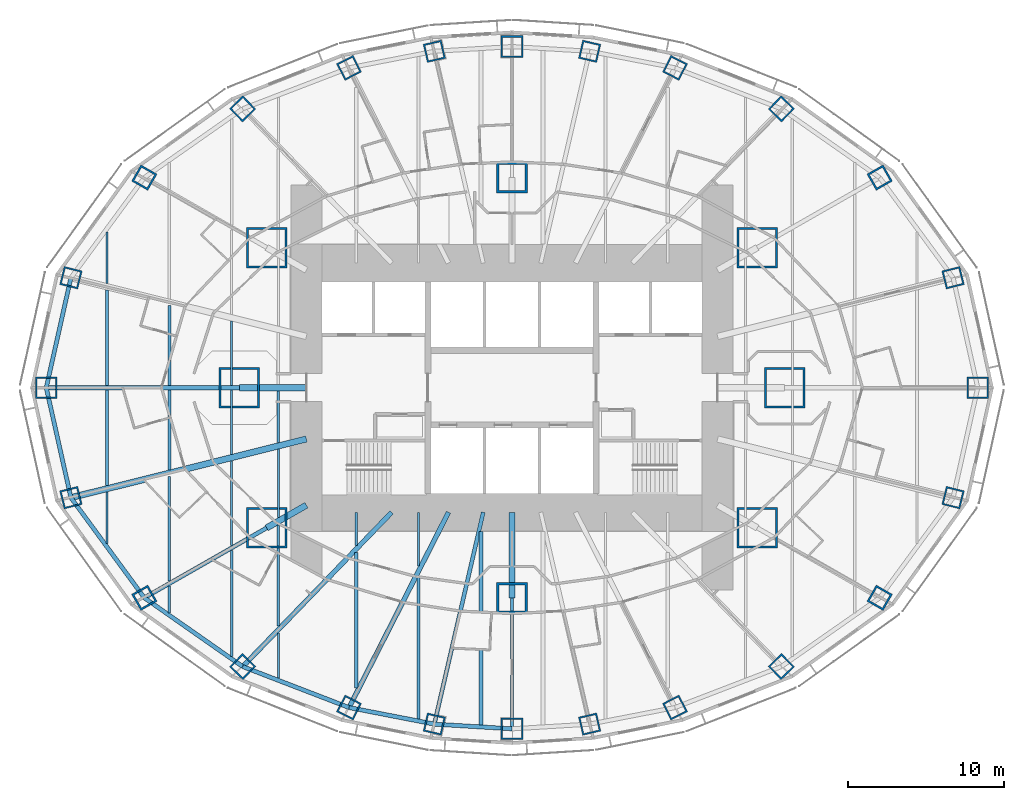
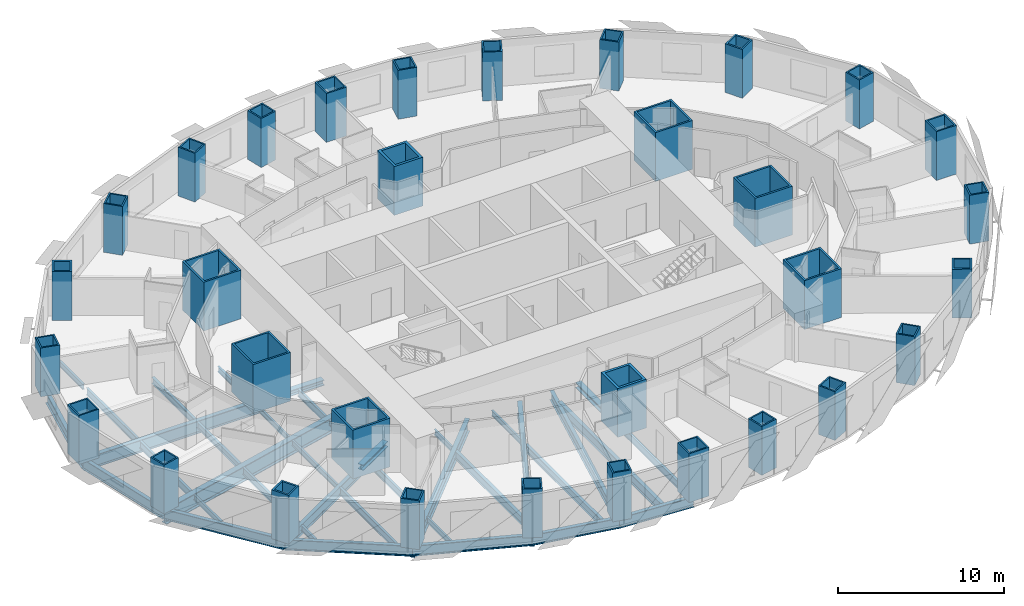
# One storey, part 1 of 15: 38 beams, 32 columns.
"""IFC4 building model written with IfcOpenShell, lengths in metres."""

from ifc_helpers import new_model, si_unit, direction, frame, origin, origin_2d, place, context, subcontext, project, spatial, rectangle, hollow_rectangle, i_section, extrude, material, material_profile, profile_set, type_object, element, save


model = new_model("IFC4")

# Units and contexts
model_context = context("Model", 3, precision=1e-05, world=origin(), true_north=direction((0.0, 1.0)))
body_context = subcontext(model_context, "Body", "Model", "MODEL_VIEW")
ifc_project = project(units=[si_unit("LENGTHUNIT", "METRE"), si_unit("AREAUNIT", "SQUARE_METRE"), si_unit("VOLUMEUNIT", "CUBIC_METRE"), si_unit("PLANEANGLEUNIT", "RADIAN"), si_unit("MASSUNIT", "GRAM", prefix="KILO")], contexts=[model_context])

# Site, building, storey
site_placement = place(None, origin())
site = spatial("IfcSite", under=ifc_project, at=site_placement, CompositionType="ELEMENT")
building_placement = place(site_placement, origin())
building = spatial("IfcBuilding", under=site, at=building_placement, Name="Lantaw Convention Tower", CompositionType="ELEMENT")
storey_placement = place(building_placement, frame((0.0, 0.0, 44.199951171875)))
storey = spatial("IfcBuildingStorey", under=building, at=storey_placement, Name="L08", CompositionType="ELEMENT", Elevation=44.199951171875)

# Columns
ifc_material_1 = material(Name="Steel EN 10025-3 S460N", Category="steel")
ifc_material_profile_1 = material_profile(ifc_material_1, hollow_rectangle(XDim=2.0, YDim=2.0, WallThickness=0.169921875, at=origin_2d()), Name="BOX2000X170")
ifc_material_2 = material(Name="Concrete C60/75", Category="concrete")
ifc_material_profile_2 = material_profile(ifc_material_2, rectangle(XDim=1.659912109375, YDim=1.659912109375, at=origin_2d()), Name="Concrete fill of BOX2000X170")
ifc_profile_set_1 = profile_set([ifc_material_profile_1, ifc_material_profile_2], Name="Steel EN 10025-3 S460N")
column_type_1 = type_object("IfcColumnType", Name="Column MC BOX2000X170", PredefinedType="COLUMN", material=ifc_profile_set_1)
for number, where, z_axis, x_axis, name in (
    (1, (0.0, 13.5, 0.0), (0.0, 0.0, 1.0), (1.0, 0.0, 0.0), "Mega column M3"),
    (2, (0.0, -13.5, 0.0), (0.0, 0.0, 1.0), (1.0, 0.0, 0.0), "Mega column M7"),
):
    element("IfcColumn", number, at=place(storey_placement, frame(where, z_axis=z_axis, x_axis=x_axis)), inside=storey, type_object=column_type_1, Name=name, PredefinedType="COLUMN", context=body_context, shape_type="SweptSolid", body=[
        extrude(hollow_rectangle(XDim=2.0, YDim=2.0, WallThickness=0.169921875, at=origin_2d()), origin(), (0.0, 0.0, 1.0), 3.60009765625),
    ])
ifc_material_profile_3 = material_profile(ifc_material_1, hollow_rectangle(XDim=2.60009765625, YDim=2.60009765625, WallThickness=0.1298828125, at=origin_2d()), Name="BOX2600X130")
ifc_material_profile_4 = material_profile(ifc_material_2, rectangle(XDim=2.340087890625, YDim=2.340087890625, at=origin_2d()), Name="Concrete fill of BOX2600X130")
ifc_profile_set_2 = profile_set([ifc_material_profile_3, ifc_material_profile_4], Name="Steel EN 10025-3 S460N")
column_type_2 = type_object("IfcColumnType", Name="Column MC BOX2600X130", PredefinedType="COLUMN", material=ifc_profile_set_2)
for number, where, z_axis, x_axis, name in (
    (3, (17.5, 0.0, 0.0), (0.0, 0.0, 1.0), (1.0, 0.0, 0.0), "Mega column M1"),
    (4, (15.75, 9.0, 0.0), (0.0, 0.0, 1.0), (1.0, 0.0, 0.0), "Mega column M2"),
    (5, (-15.75, 9.0, 0.0), (0.0, 0.0, 1.0), (1.0, 0.0, 0.0), "Mega column M4"),
    (6, (-17.5, 0.0, 0.0), (0.0, 0.0, 1.0), (1.0, 0.0, 0.0), "Mega column M5"),
    (7, (-15.75, -9.0, 0.0), (0.0, 0.0, 1.0), (1.0, 0.0, 0.0), "Mega column M6"),
    (8, (15.75, -9.0, 0.0), (0.0, 0.0, 1.0), (1.0, 0.0, 0.0), "Mega column M8"),
):
    element("IfcColumn", number, at=place(storey_placement, frame(where, z_axis=z_axis, x_axis=x_axis)), inside=storey, type_object=column_type_2, Name=name, PredefinedType="COLUMN", context=body_context, shape_type="SweptSolid", body=[
        extrude(hollow_rectangle(XDim=2.60009765625, YDim=2.60009765625, WallThickness=0.1298828125, at=origin_2d()), origin(), (0.0, 0.0, 1.0), 3.60009765625),
    ])
ifc_material_profile_5 = material_profile(ifc_material_1, hollow_rectangle(XDim=1.199951171875, YDim=1.199951171875, WallThickness=0.10009765625, at=origin_2d()), Name="BOX1200X100")
ifc_material_profile_6 = material_profile(ifc_material_2, rectangle(XDim=1.0, YDim=1.0, at=origin_2d()), Name="Concrete fill of BOX1200X100")
ifc_profile_set_3 = profile_set([ifc_material_profile_5, ifc_material_profile_6], Name="Steel EN 10025-3 S460N")
column_type_3 = type_object("IfcColumnType", Name="Column PC BOX1200X100", PredefinedType="COLUMN", material=ifc_profile_set_3)
for number, where, z_axis, x_axis, name in (
    (9, (28.31787109375, 7.060302734375, 0.0), (0.0, 0.0, 1.0), (0.970295726276, 0.2419218956, 0.0), "Perimeter column P2"),
    (10, (17.290771484375, 17.9052734375, 0.0), (0.0, 0.0, 1.0), (0.694658370459, 0.719339800339, 0.0), "Perimeter column P4"),
    (11, (10.462646484375, 20.533935546875, 0.0), (0.0, 0.0, 1.0), (0.45399049974, 0.891006524188, 0.0), "Perimeter column P5"),
    (12, (4.986328125, 21.59814453125, 0.0), (0.0, 0.0, 1.0), (0.224951054344, 0.974370064785, 0.0), "Perimeter column P6"),
    (13, (-4.986328125, 21.59814453125, 0.0), (0.0, 0.0, 1.0), (0.974370064785, 0.224951054344, 0.0), "Perimeter column P8"),
    (14, (-10.462646484375, 20.533935546875, 0.0), (0.0, 0.0, 1.0), (0.891006524188, 0.45399049974, 0.0), "Perimeter column P9"),
    (15, (-17.290771484375, 17.9052734375, 0.0), (0.0, 0.0, 1.0), (0.719339800339, 0.694658370459, 0.0), "Perimeter column P10"),
    (16, (-28.31787109375, 7.060302734375, 0.0), (0.0, 0.0, 1.0), (0.2419218956, 0.970295726276, 0.0), "Perimeter column P12"),
    (17, (-28.31787109375, -7.060302734375, 0.0), (0.0, 0.0, 1.0), (0.970295726276, 0.2419218956, 0.0), "Perimeter column P14"),
    (18, (-17.290771484375, -17.9052734375, 0.0), (0.0, 0.0, 1.0), (0.694658370459, 0.719339800339, 0.0), "Perimeter column P16"),
    (19, (-10.462646484375, -20.533935546875, 0.0), (0.0, 0.0, 1.0), (0.45399049974, 0.891006524188, 0.0), "Perimeter column P17"),
    (20, (-4.986328125, -21.59814453125, 0.0), (0.0, 0.0, 1.0), (0.224951054344, 0.974370064785, 0.0), "Perimeter column P18"),
    (21, (4.986328125, -21.59814453125, 0.0), (0.0, 0.0, 1.0), (0.974370064785, 0.224951054344, 0.0), "Perimeter column P20"),
    (22, (10.462646484375, -20.533935546875, 0.0), (0.0, 0.0, 1.0), (0.891006524188, 0.45399049974, 0.0), "Perimeter column P21"),
    (23, (17.290771484375, -17.9052734375, 0.0), (0.0, 0.0, 1.0), (0.719339800339, 0.694658370459, 0.0), "Perimeter column P22"),
    (24, (28.31787109375, -7.060302734375, 0.0), (0.0, 0.0, 1.0), (0.2419218956, 0.970295726276, 0.0), "Perimeter column P24"),
):
    element("IfcColumn", number, at=place(storey_placement, frame(where, z_axis=z_axis, x_axis=x_axis)), inside=storey, type_object=column_type_3, Name=name, PredefinedType="COLUMN", context=body_context, shape_type="SweptSolid", body=[
        extrude(hollow_rectangle(XDim=1.199951171875, YDim=1.199951171875, WallThickness=0.10009765625, at=origin_2d()), origin(), (0.0, 0.0, 1.0), 3.60009765625),
    ])
ifc_material_profile_7 = material_profile(ifc_material_1, hollow_rectangle(XDim=1.199951171875, YDim=1.199951171875, WallThickness=0.1201171875, at=origin_2d()), Name="BOX1200X120")
ifc_material_profile_8 = material_profile(ifc_material_2, rectangle(XDim=0.9599609375, YDim=0.9599609375, at=origin_2d()), Name="Concrete fill of BOX1200X120")
ifc_profile_set_4 = profile_set([ifc_material_profile_7, ifc_material_profile_8], Name="Steel EN 10025-3 S460N")
column_type_4 = type_object("IfcColumnType", Name="Column PC BOX1200X120", PredefinedType="COLUMN", material=ifc_profile_set_4)
for number, where, z_axis, x_axis, name in (
    (25, (23.60498046875, 13.488525390625, 0.0), (0.0, 0.0, 1.0), (0.86824298017, 0.496139221777, 0.0), "Perimeter column P3"),
    (26, (-23.60498046875, 13.488525390625, 0.0), (0.0, 0.0, 1.0), (0.496139221777, 0.86824298017, 0.0), "Perimeter column P11"),
    (27, (-23.60498046875, -13.488525390625, 0.0), (0.0, 0.0, 1.0), (0.86824298017, 0.496139221777, 0.0), "Perimeter column P15"),
    (28, (23.60498046875, -13.488525390625, 0.0), (0.0, 0.0, 1.0), (0.496139221777, 0.86824298017, 0.0), "Perimeter column P23"),
):
    element("IfcColumn", number, at=place(storey_placement, frame(where, z_axis=z_axis, x_axis=x_axis)), inside=storey, type_object=column_type_4, Name=name, PredefinedType="COLUMN", context=body_context, shape_type="SweptSolid", body=[
        extrude(hollow_rectangle(XDim=1.199951171875, YDim=1.199951171875, WallThickness=0.1201171875, at=origin_2d()), origin(), (0.0, 0.0, 1.0), 3.60009765625),
    ])
ifc_material_profile_9 = material_profile(ifc_material_1, hollow_rectangle(XDim=1.39990234375, YDim=1.39990234375, WallThickness=0.10009765625, at=origin_2d()), Name="BOX1400X100")
ifc_material_profile_10 = material_profile(ifc_material_2, rectangle(XDim=1.199951171875, YDim=1.199951171875, at=origin_2d()), Name="Concrete fill of BOX1400X100")
ifc_profile_set_5 = profile_set([ifc_material_profile_9, ifc_material_profile_10], Name="Steel EN 10025-3 S460N")
column_type_5 = type_object("IfcColumnType", Name="Column PC BOX1400X100", PredefinedType="COLUMN", material=ifc_profile_set_5)
for number, where, z_axis, x_axis, name in (
    (29, (29.89990234375, 0.0, 0.0), (0.0, 0.0, 1.0), (1.0, 0.0, 0.0), "Perimeter column P1"),
    (30, (0.0, 21.89990234375, 0.0), (0.0, 0.0, 1.0), (1.0, 0.0, 0.0), "Perimeter column P7"),
    (31, (-29.89990234375, 0.0, 0.0), (0.0, 0.0, 1.0), (1.0, 0.0, 0.0), "Perimeter column P13"),
    (32, (0.0, -21.89990234375, 0.0), (0.0, 0.0, 1.0), (1.0, 0.0, 0.0), "Perimeter column P19"),
):
    element("IfcColumn", number, at=place(storey_placement, frame(where, z_axis=z_axis, x_axis=x_axis)), inside=storey, type_object=column_type_5, Name=name, PredefinedType="COLUMN", context=body_context, shape_type="SweptSolid", body=[
        extrude(hollow_rectangle(XDim=1.39990234375, YDim=1.39990234375, WallThickness=0.10009765625, at=origin_2d()), origin(), (0.0, 0.0, 1.0), 3.60009765625),
    ])

# Beams
ifc_material_3 = material(Name="Steel ASTM A992", Category="steel")
ifc_material_profile_11 = material_profile(ifc_material_3, i_section(OverallWidth=0.2666015625, OverallDepth=0.76953125, WebThickness=0.015625, FlangeThickness=0.025390625, FilletRadius=0.0126953125, at=origin_2d()), Name="W30X132")
ifc_profile_set_6 = profile_set([ifc_material_profile_11], Name="Steel ASTM A992")
beam_type_1 = type_object("IfcBeamType", Name="Beam E W30X132", PredefinedType="SPANDREL", material=ifc_profile_set_6)
for number, where, z_axis, x_axis, name in (
    (33, (-28.31787109375, 7.060302734375, -0.53466796875), (-0.218652184873, -0.975802860239, 0.0), (0.975802860239, -0.218652184873, 0.0), "Edge beam 12"),
    (34, (-29.89990234375, 0.0, -0.53466796875), (0.218652184873, -0.975802860239, 0.0), (0.975802860239, 0.218652184873, 0.0), "Edge beam 13"),
):
    element("IfcBeam", number, at=place(storey_placement, frame(where, z_axis=z_axis, x_axis=x_axis)), inside=storey, type_object=beam_type_1, Name=name, PredefinedType="SPANDREL", context=body_context, shape_type="SweptSolid", body=[
        extrude(i_section(OverallWidth=0.2666015625, OverallDepth=0.76953125, WebThickness=0.015625, FlangeThickness=0.025390625, FilletRadius=0.0126953125, at=origin_2d()), origin(), (0.0, 0.0, 1.0), 7.2353515625),
    ])
beam_1_placement = place(storey_placement, frame((-28.31787109375, -7.060302734375, -0.53466796875), z_axis=(0.591270709086, -0.806473154281, 0.0), x_axis=(0.806473154281, 0.591270709086, 0.0)))
element("IfcBeam", 35, at=beam_1_placement, inside=storey, type_object=beam_type_1, Name="Edge beam 14", PredefinedType="SPANDREL", context=body_context, shape_type="SweptSolid", body=[
    extrude(i_section(OverallWidth=0.2666015625, OverallDepth=0.76953125, WebThickness=0.015625, FlangeThickness=0.025390625, FilletRadius=0.0126953125, at=origin_2d()), origin(), (0.0, 0.0, 1.0), 7.970703125),
])
beam_2_placement = place(storey_placement, frame((-23.60498046875, -13.488525390625, -0.53466796875), z_axis=(0.81942686407, -0.57318375277, 0.0), x_axis=(0.57318375277, 0.81942686407, 0.0)))
element("IfcBeam", 36, at=beam_2_placement, inside=storey, type_object=beam_type_1, Name="Edge beam 15", PredefinedType="SPANDREL", context=body_context, shape_type="SweptSolid", body=[
    extrude(i_section(OverallWidth=0.2666015625, OverallDepth=0.76953125, WebThickness=0.015625, FlangeThickness=0.025390625, FilletRadius=0.0126953125, at=origin_2d()), origin(), (0.0, 0.0, 1.0), 7.70556640625),
])
beam_3_placement = place(storey_placement, frame((-17.290771484375, -17.9052734375, -0.53466796875), z_axis=(0.933232900641, -0.359271976588, 0.0), x_axis=(0.359271976588, 0.933232900641, 0.0)))
element("IfcBeam", 37, at=beam_3_placement, inside=storey, type_object=beam_type_1, Name="Edge beam 16", PredefinedType="SPANDREL", context=body_context, shape_type="SweptSolid", body=[
    extrude(i_section(OverallWidth=0.2666015625, OverallDepth=0.76953125, WebThickness=0.015625, FlangeThickness=0.025390625, FilletRadius=0.0126953125, at=origin_2d()), origin(), (0.0, 0.0, 1.0), 7.316650390625),
])
beam_4_placement = place(storey_placement, frame((-10.462646484375, -20.533935546875, -0.53466796875), z_axis=(0.981636565323, -0.190760723474, 0.0), x_axis=(0.190760723474, 0.981636565323, 0.0)))
element("IfcBeam", 38, at=beam_4_placement, inside=storey, type_object=beam_type_1, Name="Edge beam 17", PredefinedType="SPANDREL", context=body_context, shape_type="SweptSolid", body=[
    extrude(i_section(OverallWidth=0.2666015625, OverallDepth=0.76953125, WebThickness=0.015625, FlangeThickness=0.025390625, FilletRadius=0.0126953125, at=origin_2d()), origin(), (0.0, 0.0, 1.0), 5.578857421875),
])
beam_5_placement = place(storey_placement, frame((-4.986328125, -21.59814453125, -0.53466796875), z_axis=(0.998173858406, -0.060406526096, 0.0), x_axis=(0.060406526096, 0.998173858406, 0.0)))
element("IfcBeam", 39, at=beam_5_placement, inside=storey, type_object=beam_type_1, Name="Edge beam 18", PredefinedType="SPANDREL", context=body_context, shape_type="SweptSolid", body=[
    extrude(i_section(OverallWidth=0.2666015625, OverallDepth=0.76953125, WebThickness=0.015625, FlangeThickness=0.025390625, FilletRadius=0.0126953125, at=origin_2d()), origin(), (0.0, 0.0, 1.0), 4.995361328125),
])
ifc_material_profile_12 = material_profile(ifc_material_3, i_section(OverallWidth=0.1650390625, OverallDepth=0.52587890625, WebThickness=0.0087890625, FlangeThickness=0.011474609375, FilletRadius=0.0126953125, at=origin_2d()), Name="W21X44")
ifc_profile_set_7 = profile_set([ifc_material_profile_12], Name="Steel ASTM A992")
beam_type_2 = type_object("IfcBeamType", Name="Beam G W21X44", PredefinedType="BEAM", material=ifc_profile_set_7)
beam_6_placement = place(storey_placement, frame((0.0, -13.5, -0.412841796875), z_axis=(0.0, -1.0, 0.0), x_axis=(1.0, 0.0, 0.0)))
element("IfcBeam", 40, at=beam_6_placement, inside=storey, type_object=beam_type_2, Name="Floor girder on ray 19", PredefinedType="BEAM", context=body_context, shape_type="SweptSolid", body=[
    extrude(i_section(OverallWidth=0.1650390625, OverallDepth=0.52587890625, WebThickness=0.0087890625, FlangeThickness=0.011474609375, FilletRadius=0.0126953125, at=origin_2d()), origin(), (0.0, 0.0, 1.0), 8.39990234375),
])
ifc_material_profile_13 = material_profile(ifc_material_3, i_section(OverallWidth=0.25390625, OverallDepth=0.683349609375, WebThickness=0.012451171875, FlangeThickness=0.01904296875, FilletRadius=0.01513671875, at=origin_2d()), Name="W27X94")
ifc_profile_set_8 = profile_set([ifc_material_profile_13], Name="Steel ASTM A992")
beam_type_3 = type_object("IfcBeamType", Name="Beam G W27X94", PredefinedType="BEAM", material=ifc_profile_set_8)
beam_7_placement = place(storey_placement, frame((-1.846923828125, -8.0, -0.49169921875), z_axis=(-0.224952773175, -0.97436966796, 0.0), x_axis=(0.97436966796, -0.224952773175, 0.0)))
element("IfcBeam", 41, at=beam_7_placement, inside=storey, type_object=beam_type_3, Name="Floor girder on ray 18", PredefinedType="BEAM", context=body_context, shape_type="SweptSolid", body=[
    extrude(i_section(OverallWidth=0.25390625, OverallDepth=0.683349609375, WebThickness=0.012451171875, FlangeThickness=0.01904296875, FilletRadius=0.01513671875, at=origin_2d()), origin(), (0.0, 0.0, 1.0), 13.955810546875),
])
ifc_material_profile_14 = material_profile(ifc_material_3, i_section(OverallWidth=0.2666015625, OverallDepth=0.7568359375, WebThickness=0.013916015625, FlangeThickness=0.019287109375, FilletRadius=0.0126953125, at=origin_2d()), Name="W30X108")
ifc_profile_set_9 = profile_set([ifc_material_profile_14], Name="Steel ASTM A992")
beam_type_4 = type_object("IfcBeamType", Name="Beam G W30X108", PredefinedType="BEAM", material=ifc_profile_set_9)
beam_8_placement = place(storey_placement, frame((-15.75, -9.0, -0.5283203125), z_axis=(-0.868244802791, -0.496136032179, 0.0), x_axis=(0.496136032179, -0.868244802791, 0.0)))
element("IfcBeam", 42, at=beam_8_placement, inside=storey, type_object=beam_type_4, Name="Floor girder on ray 15", PredefinedType="BEAM", context=body_context, shape_type="SweptSolid", body=[
    extrude(i_section(OverallWidth=0.2666015625, OverallDepth=0.7568359375, WebThickness=0.013916015625, FlangeThickness=0.019287109375, FilletRadius=0.0126953125, at=origin_2d()), origin(), (0.0, 0.0, 1.0), 9.046875),
])
ifc_material_profile_15 = material_profile(ifc_material_3, i_section(OverallWidth=0.307373046875, OverallDepth=0.922119140625, WebThickness=0.018310546875, FlangeThickness=0.030029296875, FilletRadius=0.0126953125, at=origin_2d()), Name="W36X182")
ifc_profile_set_10 = profile_set([ifc_material_profile_15], Name="Steel ASTM A992")
beam_type_5 = type_object("IfcBeamType", Name="Beam G W36X182", PredefinedType="BEAM", material=ifc_profile_set_10)
beam_9_placement = place(storey_placement, frame((-17.5, 0.0, -0.61083984375), z_axis=(-1.0, 0.0, 0.0), x_axis=(0.0, -1.0, 0.0)))
element("IfcBeam", 43, at=beam_9_placement, inside=storey, type_object=beam_type_5, Name="Floor girder on ray 13", PredefinedType="BEAM", context=body_context, shape_type="SweptSolid", body=[
    extrude(i_section(OverallWidth=0.307373046875, OverallDepth=0.922119140625, WebThickness=0.018310546875, FlangeThickness=0.030029296875, FilletRadius=0.0126953125, at=origin_2d()), origin(), (0.0, 0.0, 1.0), 12.39990234375),
])
beam_10_placement = place(storey_placement, frame((-7.7255859375, -8.0, -0.61083984375), z_axis=(-0.694649884291, -0.719347995239, 0.0), x_axis=(0.719347995239, -0.694649884291, 0.0)))
element("IfcBeam", 44, at=beam_10_placement, inside=storey, type_object=beam_type_5, Name="Floor girder on ray 16", PredefinedType="BEAM", context=body_context, shape_type="SweptSolid", body=[
    extrude(i_section(OverallWidth=0.307373046875, OverallDepth=0.922119140625, WebThickness=0.018310546875, FlangeThickness=0.030029296875, FilletRadius=0.0126953125, at=origin_2d()), origin(), (0.0, 0.0, 1.0), 13.769775390625),
])
beam_11_placement = place(storey_placement, frame((-4.076171875, -8.0, -0.61083984375), z_axis=(-0.453997016122, -0.891003203896, 0.0), x_axis=(0.891003203896, -0.453997016122, 0.0)))
element("IfcBeam", 45, at=beam_11_placement, inside=storey, type_object=beam_type_5, Name="Floor girder on ray 17", PredefinedType="BEAM", context=body_context, shape_type="SweptSolid", body=[
    extrude(i_section(OverallWidth=0.307373046875, OverallDepth=0.922119140625, WebThickness=0.018310546875, FlangeThickness=0.030029296875, FilletRadius=0.0126953125, at=origin_2d()), origin(), (0.0, 0.0, 1.0), 14.067138671875),
])
ifc_material_profile_16 = material_profile(ifc_material_3, i_section(OverallWidth=0.40380859375, OverallDepth=1.11767578125, WebThickness=0.026123046875, FlangeThickness=0.044921875, FilletRadius=0.02001953125, at=origin_2d()), Name="W44X335")
ifc_profile_set_11 = profile_set([ifc_material_profile_16], Name="Steel ASTM A992")
beam_type_6 = type_object("IfcBeamType", Name="Beam G W44X335", PredefinedType="BEAM", material=ifc_profile_set_11)
beam_12_placement = place(storey_placement, frame((-13.199951171875, -3.291015625, -0.708740234375), z_axis=(-0.970296233567, -0.241919860957, 0.0), x_axis=(0.241919860957, -0.970296233567, 0.0)))
element("IfcBeam", 46, at=beam_12_placement, inside=storey, type_object=beam_type_6, Name="Floor girder on ray 14", PredefinedType="BEAM", context=body_context, shape_type="SweptSolid", body=[
    extrude(i_section(OverallWidth=0.40380859375, OverallDepth=1.11767578125, WebThickness=0.026123046875, FlangeThickness=0.044921875, FilletRadius=0.02001953125, at=origin_2d()), origin(), (0.0, 0.0, 1.0), 15.580810546875),
])
ifc_material_profile_17 = material_profile(ifc_material_3, i_section(OverallWidth=0.40380859375, OverallDepth=0.406494140625, WebThickness=0.027099609375, FlangeThickness=0.043701171875, FilletRadius=0.01513671875, at=origin_2d()), Name="W14X233")
ifc_profile_set_12 = profile_set([ifc_material_profile_17], Name="Steel ASTM A992")
beam_type_7 = type_object("IfcBeamType", Name="Beam GM W14X233", PredefinedType="BEAM", material=ifc_profile_set_12)
beam_13_placement = place(storey_placement, frame((-13.199951171875, 0.0, -0.353271484375), z_axis=(-1.0, 0.0, 0.0), x_axis=(0.0, -1.0, 0.0)))
element("IfcBeam", 47, at=beam_13_placement, inside=storey, type_object=beam_type_7, Name="Core link beam on ray 13", PredefinedType="BEAM", context=body_context, shape_type="SweptSolid", body=[
    extrude(i_section(OverallWidth=0.40380859375, OverallDepth=0.406494140625, WebThickness=0.027099609375, FlangeThickness=0.043701171875, FilletRadius=0.01513671875, at=origin_2d()), origin(), (0.0, 0.0, 1.0), 4.300048828125),
])
beam_14_placement = place(storey_placement, frame((-13.199951171875, -7.54296875, -0.353271484375), z_axis=(-0.868263603466, -0.496103129295, 0.0), x_axis=(0.496103129295, -0.868263603466, 0.0)))
element("IfcBeam", 48, at=beam_14_placement, inside=storey, type_object=beam_type_7, Name="Core link beam on ray 15", PredefinedType="BEAM", context=body_context, shape_type="SweptSolid", body=[
    extrude(i_section(OverallWidth=0.40380859375, OverallDepth=0.406494140625, WebThickness=0.027099609375, FlangeThickness=0.043701171875, FilletRadius=0.01513671875, at=origin_2d()), origin(), (0.0, 0.0, 1.0), 2.93701171875),
])
beam_15_placement = place(storey_placement, frame((0.0, -8.0, -0.353271484375), z_axis=(0.0, -1.0, 0.0), x_axis=(1.0, 0.0, 0.0)))
element("IfcBeam", 49, at=beam_15_placement, inside=storey, type_object=beam_type_7, Name="Core link beam on ray 19", PredefinedType="BEAM", context=body_context, shape_type="SweptSolid", body=[
    extrude(i_section(OverallWidth=0.40380859375, OverallDepth=0.406494140625, WebThickness=0.027099609375, FlangeThickness=0.043701171875, FilletRadius=0.01513671875, at=origin_2d()), origin(), (0.0, 0.0, 1.0), 5.5),
])
ifc_material_profile_18 = material_profile(ifc_material_3, i_section(OverallWidth=0.140380859375, OverallDepth=0.40380859375, WebThickness=0.007080078125, FlangeThickness=0.01123046875, FilletRadius=0.01025390625, at=origin_2d()), Name="W16X31")
ifc_profile_set_13 = profile_set([ifc_material_profile_18], Name="Steel ASTM A992")
beam_type_8 = type_object("IfcBeamType", Name="Beam J W16X31", PredefinedType="JOIST", material=ifc_profile_set_13)
for number, where, z_axis, x_axis, name in (
    (50, (-26.0, -9.996337890625, -0.351806640625), (0.0, 1.0, 0.0), (-1.0, 0.0, 0.0), "Floor joist"),
    (51, (-26.0, 6.690673828125, -0.351806640625), (0.0, 1.0, 0.0), (-1.0, 0.0, 0.0), "Floor joist"),
):
    element("IfcBeam", number, at=place(storey_placement, frame(where, z_axis=z_axis, x_axis=x_axis)), inside=storey, type_object=beam_type_8, Name=name, PredefinedType="JOIST", context=body_context, shape_type="SweptSolid", body=[
        extrude(i_section(OverallWidth=0.140380859375, OverallDepth=0.40380859375, WebThickness=0.007080078125, FlangeThickness=0.01123046875, FilletRadius=0.01025390625, at=origin_2d()), origin(), (0.0, 0.0, 1.0), 3.3056640625),
    ])
beam_16_placement = place(storey_placement, frame((-22.0, -14.448486328125, -0.351806640625), z_axis=(0.0, 1.0, 0.0), x_axis=(-1.0, 0.0, 0.0)))
element("IfcBeam", 52, at=beam_16_placement, inside=storey, type_object=beam_type_8, Name="Floor joist", PredefinedType="JOIST", context=body_context, shape_type="SweptSolid", body=[
    extrude(i_section(OverallWidth=0.140380859375, OverallDepth=0.40380859375, WebThickness=0.007080078125, FlangeThickness=0.01123046875, FilletRadius=0.01025390625, at=origin_2d()), origin(), (0.0, 0.0, 1.0), 1.723388671875),
])
beam_17_placement = place(storey_placement, frame((-18.0, -10.132080078125, -0.351806640625), z_axis=(0.0, 1.0, 0.0), x_axis=(-1.0, 0.0, 0.0)))
element("IfcBeam", 53, at=beam_17_placement, inside=storey, type_object=beam_type_8, Name="Floor joist", PredefinedType="JOIST", context=body_context, shape_type="SweptSolid", body=[
    extrude(i_section(OverallWidth=0.140380859375, OverallDepth=0.40380859375, WebThickness=0.007080078125, FlangeThickness=0.01123046875, FilletRadius=0.01025390625, at=origin_2d()), origin(), (0.0, 0.0, 1.0), 5.43603515625),
])
for number, where, z_axis, x_axis, name in (
    (54, (-18.0, -4.27978515625, -0.351806640625), (0.0, 1.0, 0.0), (-1.0, 0.0, 0.0), "Floor joist"),
    (55, (-18.0, 0.153564453125, -0.351806640625), (0.0, 1.0, 0.0), (-1.0, 0.0, 0.0), "Floor joist"),
):
    element("IfcBeam", number, at=place(storey_placement, frame(where, z_axis=z_axis, x_axis=x_axis)), inside=storey, type_object=beam_type_8, Name=name, PredefinedType="JOIST", context=body_context, shape_type="SweptSolid", body=[
        extrude(i_section(OverallWidth=0.140380859375, OverallDepth=0.40380859375, WebThickness=0.007080078125, FlangeThickness=0.01123046875, FilletRadius=0.01025390625, at=origin_2d()), origin(), (0.0, 0.0, 1.0), 4.126220703125),
    ])
beam_18_placement = place(storey_placement, frame((-15.0, -18.644287109375, -0.351806640625), z_axis=(0.0, 1.0, 0.0), x_axis=(-1.0, 0.0, 0.0)))
element("IfcBeam", 56, at=beam_18_placement, inside=storey, type_object=beam_type_8, Name="Floor joist", PredefinedType="JOIST", context=body_context, shape_type="SweptSolid", body=[
    extrude(i_section(OverallWidth=0.140380859375, OverallDepth=0.40380859375, WebThickness=0.007080078125, FlangeThickness=0.01123046875, FilletRadius=0.01025390625, at=origin_2d()), origin(), (0.0, 0.0, 1.0), 2.89013671875),
])
beam_19_placement = place(storey_placement, frame((-15.0, -8.3388671875, -0.351806640625), z_axis=(0.0, 1.0, 0.0), x_axis=(-1.0, 0.0, 0.0)))
element("IfcBeam", 57, at=beam_19_placement, inside=storey, type_object=beam_type_8, Name="Floor joist", PredefinedType="JOIST", context=body_context, shape_type="SweptSolid", body=[
    extrude(i_section(OverallWidth=0.140380859375, OverallDepth=0.40380859375, WebThickness=0.007080078125, FlangeThickness=0.01123046875, FilletRadius=0.01025390625, at=origin_2d()), origin(), (0.0, 0.0, 1.0), 4.390869140625),
])
beam_20_placement = place(storey_placement, frame((-10.0, -10.134033203125, -0.351806640625), z_axis=(0.0, 1.0, 0.0), x_axis=(-1.0, 0.0, 0.0)))
element("IfcBeam", 58, at=beam_20_placement, inside=storey, type_object=beam_type_8, Name="Floor joist", PredefinedType="JOIST", context=body_context, shape_type="SweptSolid", body=[
    extrude(i_section(OverallWidth=0.140380859375, OverallDepth=0.40380859375, WebThickness=0.007080078125, FlangeThickness=0.01123046875, FilletRadius=0.01025390625, at=origin_2d()), origin(), (0.0, 0.0, 1.0), 2.134033203125),
])
beam_21_placement = place(storey_placement, frame((-6.0, -11.437255859375, -0.351806640625), z_axis=(0.0, 1.0, 0.0), x_axis=(-1.0, 0.0, 0.0)))
element("IfcBeam", 59, at=beam_21_placement, inside=storey, type_object=beam_type_8, Name="Floor joist", PredefinedType="JOIST", context=body_context, shape_type="SweptSolid", body=[
    extrude(i_section(OverallWidth=0.140380859375, OverallDepth=0.40380859375, WebThickness=0.007080078125, FlangeThickness=0.01123046875, FilletRadius=0.01025390625, at=origin_2d()), origin(), (0.0, 0.0, 1.0), 3.437255859375),
])
ifc_material_profile_19 = material_profile(ifc_material_3, i_section(OverallWidth=0.1904296875, OverallDepth=0.457275390625, WebThickness=0.009033203125, FlangeThickness=0.014404296875, FilletRadius=0.01025390625, at=origin_2d()), Name="W18X50")
ifc_profile_set_14 = profile_set([ifc_material_profile_19], Name="Steel ASTM A992")
beam_type_9 = type_object("IfcBeamType", Name="Beam J W18X50", PredefinedType="JOIST", material=ifc_profile_set_14)
for number, where, z_axis, x_axis, name in (
    (60, (-22.0, -5.277099609375, -0.378662109375), (0.0, 1.0, 0.0), (-1.0, 0.0, 0.0), "Floor joist"),
    (61, (-22.0, 0.153564453125, -0.378662109375), (0.0, 1.0, 0.0), (-1.0, 0.0, 0.0), "Floor joist"),
):
    element("IfcBeam", number, at=place(storey_placement, frame(where, z_axis=z_axis, x_axis=x_axis)), inside=storey, type_object=beam_type_9, Name=name, PredefinedType="JOIST", context=body_context, shape_type="SweptSolid", body=[
        extrude(i_section(OverallWidth=0.1904296875, OverallDepth=0.457275390625, WebThickness=0.009033203125, FlangeThickness=0.014404296875, FilletRadius=0.01025390625, at=origin_2d()), origin(), (0.0, 0.0, 1.0), 5.12353515625),
    ])
ifc_material_profile_20 = material_profile(ifc_material_3, i_section(OverallWidth=0.1650390625, OverallDepth=0.52587890625, WebThickness=0.0087890625, FlangeThickness=0.011474609375, FilletRadius=0.0126953125, at=origin_2d()), Name="W21X44")
ifc_profile_set_15 = profile_set([ifc_material_profile_20], Name="Steel ASTM A992")
beam_type_10 = type_object("IfcBeamType", Name="Beam J W21X44", PredefinedType="JOIST", material=ifc_profile_set_15)
beam_22_placement = place(storey_placement, frame((-22.0, -12.41796875, -0.412841796875), z_axis=(0.0, 1.0, 0.0), x_axis=(-1.0, 0.0, 0.0)))
element("IfcBeam", 62, at=beam_22_placement, inside=storey, type_object=beam_type_10, Name="Floor joist", PredefinedType="JOIST", context=body_context, shape_type="SweptSolid", body=[
    extrude(i_section(OverallWidth=0.1650390625, OverallDepth=0.52587890625, WebThickness=0.0087890625, FlangeThickness=0.011474609375, FilletRadius=0.0126953125, at=origin_2d()), origin(), (0.0, 0.0, 1.0), 6.724609375),
])
beam_23_placement = place(storey_placement, frame((-18.0, -17.246337890625, -0.412841796875), z_axis=(0.0, 1.0, 0.0), x_axis=(-1.0, 0.0, 0.0)))
element("IfcBeam", 63, at=beam_23_placement, inside=storey, type_object=beam_type_10, Name="Floor joist", PredefinedType="JOIST", context=body_context, shape_type="SweptSolid", body=[
    extrude(i_section(OverallWidth=0.1650390625, OverallDepth=0.52587890625, WebThickness=0.0087890625, FlangeThickness=0.011474609375, FilletRadius=0.0126953125, at=origin_2d()), origin(), (0.0, 0.0, 1.0), 6.80712890625),
])
beam_24_placement = place(storey_placement, frame((-15.0, -15.311767578125, -0.412841796875), z_axis=(0.0, 1.0, 0.0), x_axis=(-1.0, 0.0, 0.0)))
element("IfcBeam", 64, at=beam_24_placement, inside=storey, type_object=beam_type_10, Name="Floor joist", PredefinedType="JOIST", context=body_context, shape_type="SweptSolid", body=[
    extrude(i_section(OverallWidth=0.1650390625, OverallDepth=0.52587890625, WebThickness=0.0087890625, FlangeThickness=0.011474609375, FilletRadius=0.0126953125, at=origin_2d()), origin(), (0.0, 0.0, 1.0), 6.5078125),
])
ifc_material_profile_21 = material_profile(ifc_material_3, i_section(OverallWidth=0.165771484375, OverallDepth=0.5283203125, WebThickness=0.009765625, FlangeThickness=0.013671875, FilletRadius=0.012939453125, at=origin_2d()), Name="W21X50")
ifc_profile_set_16 = profile_set([ifc_material_profile_21], Name="Steel ASTM A992")
beam_type_11 = type_object("IfcBeamType", Name="Beam J W21X50", PredefinedType="JOIST", material=ifc_profile_set_16)
for number, where, z_axis, x_axis, name in (
    (65, (-26.0, -6.2744140625, -0.4140625), (0.0, 1.0, 0.0), (-1.0, 0.0, 0.0), "Floor joist"),
    (66, (-26.0, 0.153564453125, -0.4140625), (0.0, 1.0, 0.0), (-1.0, 0.0, 0.0), "Floor joist"),
):
    element("IfcBeam", number, at=place(storey_placement, frame(where, z_axis=z_axis, x_axis=x_axis)), inside=storey, type_object=beam_type_11, Name=name, PredefinedType="JOIST", context=body_context, shape_type="SweptSolid", body=[
        extrude(i_section(OverallWidth=0.165771484375, OverallDepth=0.5283203125, WebThickness=0.009765625, FlangeThickness=0.013671875, FilletRadius=0.012939453125, at=origin_2d()), origin(), (0.0, 0.0, 1.0), 6.120849609375),
    ])
beam_25_placement = place(storey_placement, frame((-15.0, -3.53173828125, -0.4140625), z_axis=(0.0, 1.0, 0.0), x_axis=(-1.0, 0.0, 0.0)))
element("IfcBeam", 67, at=beam_25_placement, inside=storey, type_object=beam_type_11, Name="Floor joist", PredefinedType="JOIST", context=body_context, shape_type="SweptSolid", body=[
    extrude(i_section(OverallWidth=0.165771484375, OverallDepth=0.5283203125, WebThickness=0.009765625, FlangeThickness=0.013671875, FilletRadius=0.012939453125, at=origin_2d()), origin(), (0.0, 0.0, 1.0), 3.329833984375),
])
ifc_material_profile_22 = material_profile(ifc_material_3, i_section(OverallWidth=0.2099609375, OverallDepth=0.535888671875, WebThickness=0.010986328125, FlangeThickness=0.017333984375, FilletRadius=0.012939453125, at=origin_2d()), Name="W21X68")
ifc_profile_set_17 = profile_set([ifc_material_profile_22], Name="Steel ASTM A992")
beam_type_12 = type_object("IfcBeamType", Name="Beam J W21X68", PredefinedType="JOIST", material=ifc_profile_set_17)
beam_26_placement = place(storey_placement, frame((-6.0, -21.26513671875, -0.41796875), z_axis=(0.0, 1.0, 0.0), x_axis=(-1.0, 0.0, 0.0)))
element("IfcBeam", 68, at=beam_26_placement, inside=storey, type_object=beam_type_12, Name="Floor joist", PredefinedType="JOIST", context=body_context, shape_type="SweptSolid", body=[
    extrude(i_section(OverallWidth=0.2099609375, OverallDepth=0.535888671875, WebThickness=0.010986328125, FlangeThickness=0.017333984375, FilletRadius=0.012939453125, at=origin_2d()), origin(), (0.0, 0.0, 1.0), 9.15087890625),
])
ifc_material_profile_23 = material_profile(ifc_material_3, i_section(OverallWidth=0.227783203125, OverallDepth=0.60205078125, WebThickness=0.010498046875, FlangeThickness=0.014892578125, FilletRadius=0.012939453125, at=origin_2d()), Name="W24X68")
ifc_profile_set_18 = profile_set([ifc_material_profile_23], Name="Steel ASTM A992")
beam_type_13 = type_object("IfcBeamType", Name="Beam J W24X68", PredefinedType="JOIST", material=ifc_profile_set_18)
beam_27_placement = place(storey_placement, frame((-10.0, -19.28759765625, -0.450927734375), z_axis=(0.0, 1.0, 0.0), x_axis=(-1.0, 0.0, 0.0)))
element("IfcBeam", 69, at=beam_27_placement, inside=storey, type_object=beam_type_13, Name="Floor joist", PredefinedType="JOIST", context=body_context, shape_type="SweptSolid", body=[
    extrude(i_section(OverallWidth=0.227783203125, OverallDepth=0.60205078125, WebThickness=0.010498046875, FlangeThickness=0.014892578125, FilletRadius=0.012939453125, at=origin_2d()), origin(), (0.0, 0.0, 1.0), 8.711181640625),
])
ifc_material_profile_24 = material_profile(ifc_material_3, i_section(OverallWidth=0.25390625, OverallDepth=0.700927734375, WebThickness=0.015380859375, FlangeThickness=0.02783203125, FilletRadius=0.01513671875, at=origin_2d()), Name="W27X129")
ifc_profile_set_19 = profile_set([ifc_material_profile_24], Name="Steel ASTM A992")
beam_type_14 = type_object("IfcBeamType", Name="Beam J W27X129", PredefinedType="JOIST", material=ifc_profile_set_19)
beam_28_placement = place(storey_placement, frame((-2.0, -21.645263671875, -0.50048828125), z_axis=(0.0, 1.0, 0.0), x_axis=(-1.0, 0.0, 0.0)))
element("IfcBeam", 70, at=beam_28_placement, inside=storey, type_object=beam_type_14, Name="Floor joist", PredefinedType="JOIST", context=body_context, shape_type="SweptSolid", body=[
    extrude(i_section(OverallWidth=0.25390625, OverallDepth=0.700927734375, WebThickness=0.015380859375, FlangeThickness=0.02783203125, FilletRadius=0.01513671875, at=origin_2d()), origin(), (0.0, 0.0, 1.0), 12.417724609375),
])

save(model, "model.ifc")
